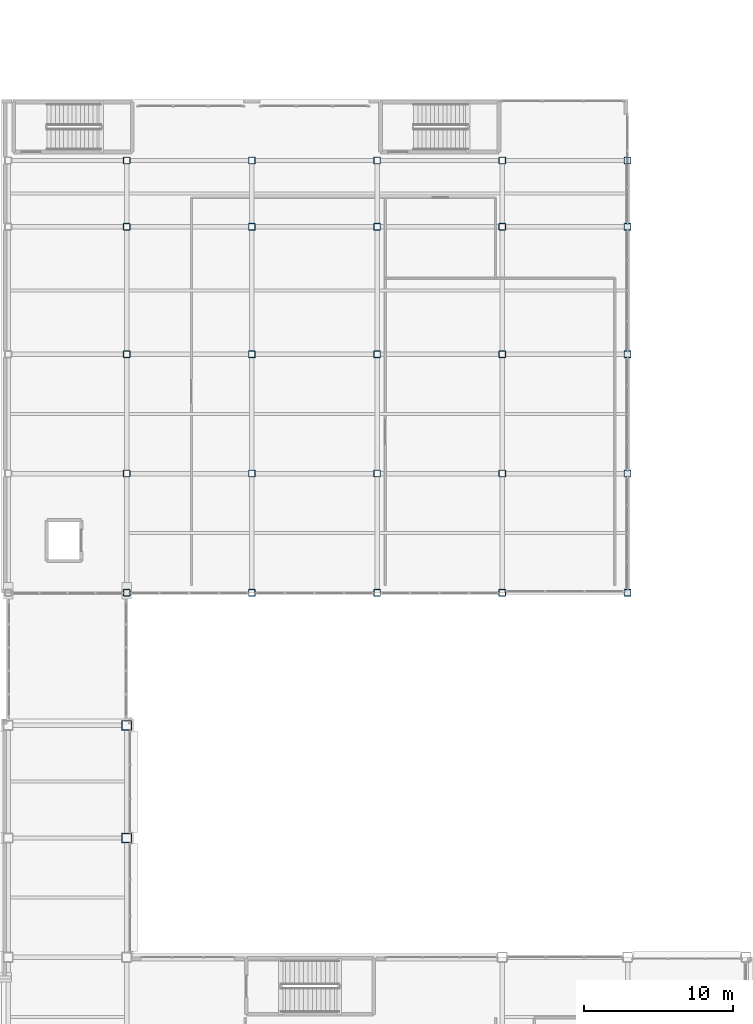
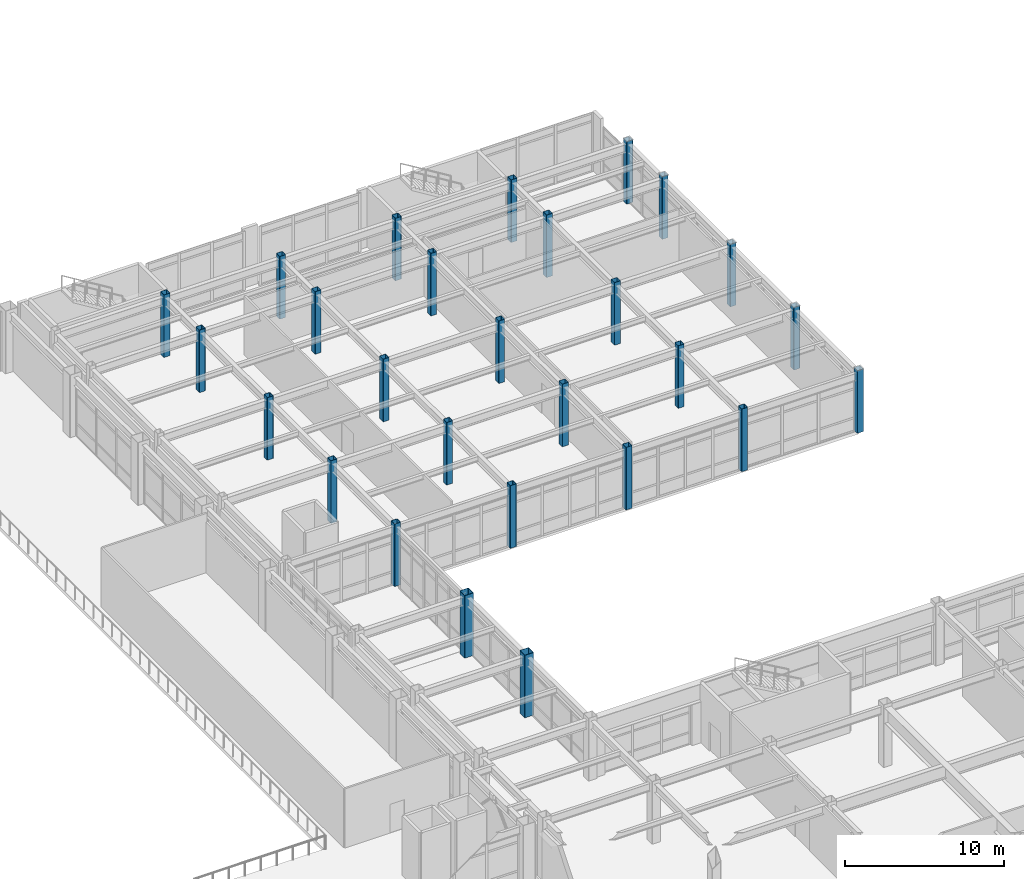
# One storey, part 5 of 172: 27 columns.
"""IFC4 building model written with IfcOpenShell, lengths in metres."""

from ifc_helpers import new_model, si_unit, direction, frame, origin, origin_2d, place, context, subcontext, project, spatial, hollow_rectangle, extrude, material, material_profile, profile_set, type_object, element, save


model = new_model("IFC4")

# Units and contexts
model_context = context("Model", 3, precision=1e-05, world=origin(), true_north=direction((0.0, 1.0)))
body_context = subcontext(model_context, "Body", "Model", "MODEL_VIEW")
ifc_project = project(units=[si_unit("LENGTHUNIT", "METRE"), si_unit("AREAUNIT", "SQUARE_METRE"), si_unit("VOLUMEUNIT", "CUBIC_METRE"), si_unit("PLANEANGLEUNIT", "RADIAN"), si_unit("MASSUNIT", "GRAM", prefix="KILO")], contexts=[model_context])

# Site, building, storey
site_placement = place(None, origin())
site = spatial("IfcSite", under=ifc_project, at=site_placement, CompositionType="ELEMENT")
building_placement = place(site_placement, origin())
building = spatial("IfcBuilding", under=site, at=building_placement, Name="Kazehara Bluff Congress Hotel", CompositionType="ELEMENT")
storey_placement = place(building_placement, frame((0.0, 0.0, 5.39990234375)))
storey = spatial("IfcBuildingStorey", under=building, at=storey_placement, Name="L01", CompositionType="ELEMENT", Elevation=5.39990234375)

# Columns
ifc_material_1 = material(Name="Steel BCR295", Category="steel")
ifc_material_profile_1 = material_profile(ifc_material_1, hollow_rectangle(XDim=0.64990234375, YDim=0.64990234375, WallThickness=0.02490234375, InnerFilletRadius=0.02490234375, OuterFilletRadius=0.050048828125, at=origin_2d()))
ifc_profile_set_1 = profile_set([ifc_material_profile_1], Name="Steel BCR295")
column_type_1 = type_object("IfcColumnType", Name="TP-C-04", PredefinedType="COLUMN", material=ifc_profile_set_1)
for number, where, z_axis, x_axis, name in (
    (1, (67.64990234375, 64.449951171875, 0.0), (0.0, 0.0, 1.0), (1.0, 0.0, 0.0), "L01 column C-04 (67.65,64.45)"),
    (2, (67.64990234375, 72.0, 0.0), (0.0, 0.0, 1.0), (1.0, 0.0, 0.0), "L01 column C-04 (67.65,72.00)"),
):
    element("IfcColumn", number, at=place(storey_placement, frame(where, z_axis=z_axis, x_axis=x_axis)), inside=storey, type_object=column_type_1, Name=name, PredefinedType="COLUMN", context=body_context, shape_type="SweptSolid", body=[
        extrude(hollow_rectangle(XDim=0.64990234375, YDim=0.64990234375, WallThickness=0.02490234375, InnerFilletRadius=0.02490234375, OuterFilletRadius=0.050048828125, at=origin_2d()), origin(), (0.0, 0.0, 1.0), 4.800048828125),
    ])
ifc_material_2 = material(Name="Steel BCR295", Category="steel")
ifc_material_profile_2 = material_profile(ifc_material_2, hollow_rectangle(XDim=0.449951171875, YDim=0.449951171875, WallThickness=0.01904296875, InnerFilletRadius=0.01904296875, OuterFilletRadius=0.0380859375, at=origin_2d()))
ifc_profile_set_2 = profile_set([ifc_material_profile_2], Name="Steel BCR295")
column_type_2 = type_object("IfcColumnType", Name="TP-C-08", PredefinedType="COLUMN", material=ifc_profile_set_2)
for number, where, z_axis, x_axis, name in (
    (3, (67.64990234375, 80.89990234375, 0.0), (0.0, 0.0, 1.0), (1.0, 0.0, 0.0), "L01 column C-08 (67.65,80.90)"),
    (4, (67.64990234375, 88.89990234375, 0.0), (0.0, 0.0, 1.0), (1.0, 0.0, 0.0), "L01 column C-08 (67.65,88.90)"),
    (5, (67.64990234375, 96.89990234375, 0.0), (0.0, 0.0, 1.0), (1.0, 0.0, 0.0), "L01 column C-08 (67.65,96.90)"),
    (6, (67.64990234375, 105.449951171875, 0.0), (0.0, 0.0, 1.0), (1.0, 0.0, 0.0), "L01 column C-08 (67.65,105.45)"),
    (7, (67.64990234375, 109.89990234375, 0.0), (0.0, 0.0, 1.0), (1.0, 0.0, 0.0), "L01 column C-08 (67.65,109.90)"),
    (8, (76.050048828125, 80.89990234375, 0.0), (0.0, 0.0, 1.0), (1.0, 0.0, 0.0), "L01 column C-08 (76.05,80.90)"),
    (9, (76.050048828125, 88.89990234375, 0.0), (0.0, 0.0, 1.0), (1.0, 0.0, 0.0), "L01 column C-08 (76.05,88.90)"),
    (10, (76.050048828125, 96.89990234375, 0.0), (0.0, 0.0, 1.0), (1.0, 0.0, 0.0), "L01 column C-08 (76.05,96.90)"),
    (11, (76.050048828125, 105.449951171875, 0.0), (0.0, 0.0, 1.0), (1.0, 0.0, 0.0), "L01 column C-08 (76.05,105.45)"),
    (12, (76.050048828125, 109.89990234375, 0.0), (0.0, 0.0, 1.0), (1.0, 0.0, 0.0), "L01 column C-08 (76.05,109.90)"),
    (13, (84.449951171875, 80.89990234375, 0.0), (0.0, 0.0, 1.0), (1.0, 0.0, 0.0), "L01 column C-08 (84.45,80.90)"),
    (14, (84.449951171875, 88.89990234375, 0.0), (0.0, 0.0, 1.0), (1.0, 0.0, 0.0), "L01 column C-08 (84.45,88.90)"),
    (15, (84.449951171875, 96.89990234375, 0.0), (0.0, 0.0, 1.0), (1.0, 0.0, 0.0), "L01 column C-08 (84.45,96.90)"),
    (16, (84.449951171875, 105.449951171875, 0.0), (0.0, 0.0, 1.0), (1.0, 0.0, 0.0), "L01 column C-08 (84.45,105.45)"),
    (17, (84.449951171875, 109.89990234375, 0.0), (0.0, 0.0, 1.0), (1.0, 0.0, 0.0), "L01 column C-08 (84.45,109.90)"),
    (18, (92.85009765625, 80.89990234375, 0.0), (0.0, 0.0, 1.0), (1.0, 0.0, 0.0), "L01 column C-08 (92.85,80.90)"),
    (19, (92.85009765625, 88.89990234375, 0.0), (0.0, 0.0, 1.0), (1.0, 0.0, 0.0), "L01 column C-08 (92.85,88.90)"),
    (20, (92.85009765625, 96.89990234375, 0.0), (0.0, 0.0, 1.0), (1.0, 0.0, 0.0), "L01 column C-08 (92.85,96.90)"),
    (21, (92.85009765625, 105.449951171875, 0.0), (0.0, 0.0, 1.0), (1.0, 0.0, 0.0), "L01 column C-08 (92.85,105.45)"),
    (22, (92.85009765625, 109.89990234375, 0.0), (0.0, 0.0, 1.0), (1.0, 0.0, 0.0), "L01 column C-08 (92.85,109.90)"),
    (23, (101.25, 80.89990234375, 0.0), (0.0, 0.0, 1.0), (1.0, 0.0, 0.0), "L01 column C-08 (101.25,80.90)"),
    (24, (101.25, 88.89990234375, 0.0), (0.0, 0.0, 1.0), (1.0, 0.0, 0.0), "L01 column C-08 (101.25,88.90)"),
    (25, (101.25, 96.89990234375, 0.0), (0.0, 0.0, 1.0), (1.0, 0.0, 0.0), "L01 column C-08 (101.25,96.90)"),
    (26, (101.25, 105.449951171875, 0.0), (0.0, 0.0, 1.0), (1.0, 0.0, 0.0), "L01 column C-08 (101.25,105.45)"),
    (27, (101.25, 109.89990234375, 0.0), (0.0, 0.0, 1.0), (1.0, 0.0, 0.0), "L01 column C-08 (101.25,109.90)"),
):
    element("IfcColumn", number, at=place(storey_placement, frame(where, z_axis=z_axis, x_axis=x_axis)), inside=storey, type_object=column_type_2, Name=name, PredefinedType="COLUMN", context=body_context, shape_type="SweptSolid", body=[
        extrude(hollow_rectangle(XDim=0.449951171875, YDim=0.449951171875, WallThickness=0.01904296875, InnerFilletRadius=0.01904296875, OuterFilletRadius=0.0380859375, at=origin_2d()), origin(), (0.0, 0.0, 1.0), 4.800048828125),
    ])

save(model, "model.ifc")
